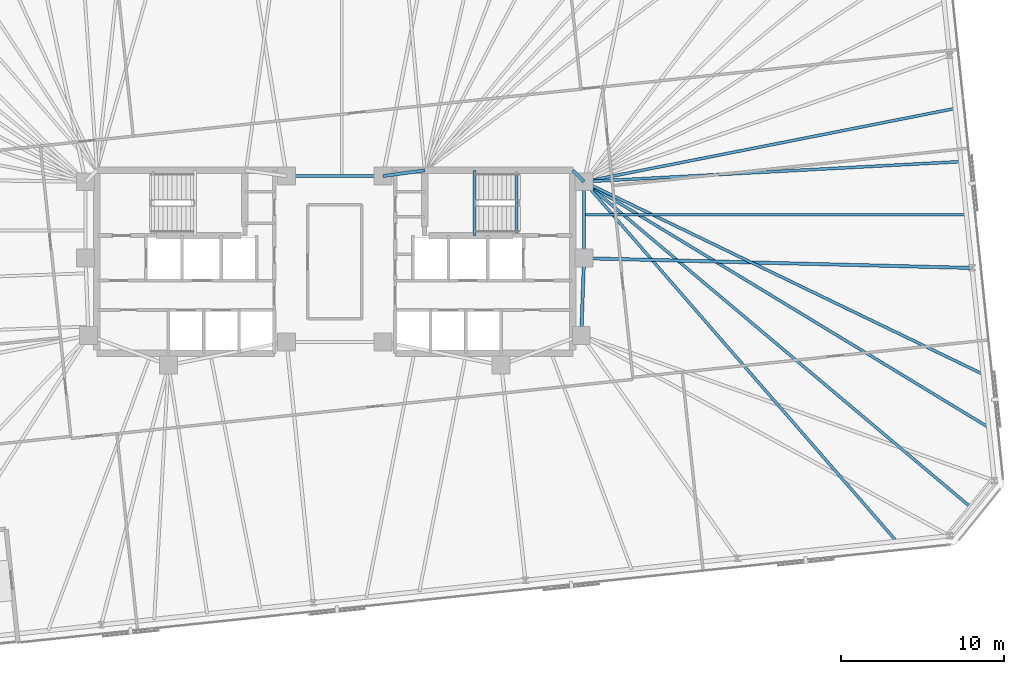
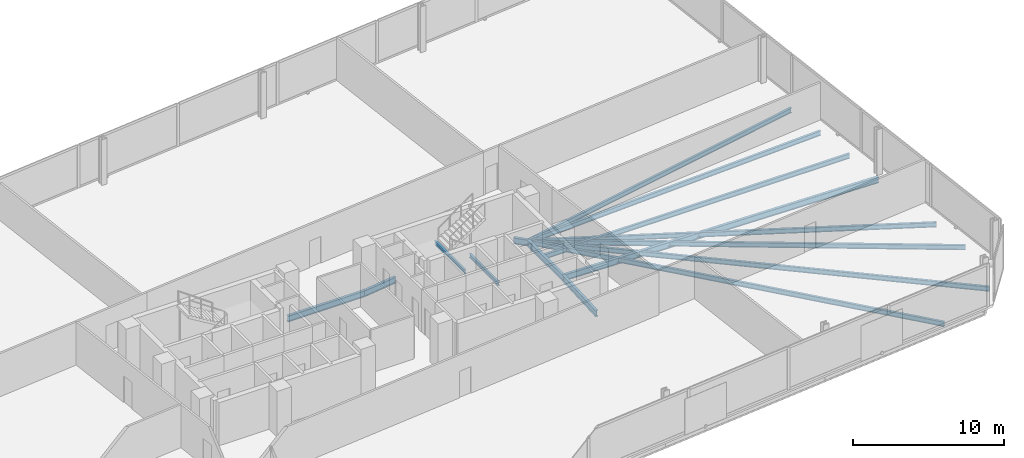
# One storey, part 8 of 18: 15 beams.
"""IFC4 building model written with IfcOpenShell, lengths in metres."""

from ifc_helpers import new_model, si_unit, direction, frame, origin, origin_2d, place, context, subcontext, project, spatial, i_section, extrude, material, material_profile, profile_set, type_object, element, save


model = new_model("IFC4")

# Units and contexts
model_context = context("Model", 3, precision=1e-05, world=origin(), true_north=direction((0.0, 1.0)))
body_context = subcontext(model_context, "Body", "Model", "MODEL_VIEW")
ifc_project = project(units=[si_unit("LENGTHUNIT", "METRE"), si_unit("AREAUNIT", "SQUARE_METRE"), si_unit("VOLUMEUNIT", "CUBIC_METRE"), si_unit("PLANEANGLEUNIT", "RADIAN"), si_unit("MASSUNIT", "GRAM", prefix="KILO")], contexts=[model_context])

# Site, building, storey
site_placement = place(None, origin())
site = spatial("IfcSite", under=ifc_project, at=site_placement, CompositionType="ELEMENT")
building_placement = place(site_placement, origin())
building = spatial("IfcBuilding", under=site, at=building_placement, Name="Menara Jurai Vektor", CompositionType="ELEMENT")
storey_placement = place(building_placement, frame((0.0, 0.0, 113.300048828125)))
storey = spatial("IfcBuildingStorey", under=building, at=storey_placement, Name="L28", CompositionType="ELEMENT", Elevation=113.300048828125)

# Beams
ifc_material = material(Name="Steel S355", Category="steel")
ifc_material_profile_1 = material_profile(ifc_material, i_section(OverallWidth=0.199951171875, OverallDepth=0.5, WebThickness=0.011962890625, FlangeThickness=0.02001953125, at=origin_2d()), Name="PG 500x200x96")
ifc_profile_set_1 = profile_set([ifc_material_profile_1], Name="Steel S355")
beam_type_1 = type_object("IfcBeamType", Name="STR-BM-500", PredefinedType="BEAM", material=ifc_profile_set_1)
beam_1_placement = place(storey_placement, frame((2.949951171875, 5.25, -0.47509765625), z_axis=(0.990706818608, 0.136014703483, 0.0), x_axis=(-0.136014703483, 0.990706818608, 0.0)))
element("IfcBeam", 1, at=beam_1_placement, inside=storey, type_object=beam_type_1, Name="Core Ring Header Girder L28-CHE-N1", PredefinedType="BEAM", context=body_context, shape_type="SweptSolid", body=[
    extrude(i_section(OverallWidth=0.199951171875, OverallDepth=0.5, WebThickness=0.011962890625, FlangeThickness=0.02001953125, at=origin_2d()), origin(), (0.0, 0.0, 1.0), 2.573974609375),
])
beam_2_placement = place(storey_placement, frame((14.56005859375, 5.60009765625, -0.47509765625), z_axis=(0.701871936926, -0.712303154672, 0.0), x_axis=(0.712303154672, 0.701871936926, 0.0)))
element("IfcBeam", 2, at=beam_2_placement, inside=storey, type_object=beam_type_1, Name="Core Ring Header Girder L28-CHE-N2", PredefinedType="BEAM", context=body_context, shape_type="SweptSolid", body=[
    extrude(i_section(OverallWidth=0.199951171875, OverallDepth=0.5, WebThickness=0.011962890625, FlangeThickness=0.02001953125, at=origin_2d()), origin(), (0.0, 0.0, 1.0), 0.98291015625),
])
beam_3_placement = place(storey_placement, frame((15.25, 0.219970703125, -0.47509765625), z_axis=(0.0, 1.0, 0.0), x_axis=(-1.0, 0.0, 0.0)))
element("IfcBeam", 3, at=beam_3_placement, inside=storey, type_object=beam_type_1, Name="Core Ring Header Girder L28-CHE-E1", PredefinedType="BEAM", context=body_context, shape_type="SweptSolid", body=[
    extrude(i_section(OverallWidth=0.199951171875, OverallDepth=0.5, WebThickness=0.011962890625, FlangeThickness=0.02001953125, at=origin_2d()), origin(), (0.0, 0.0, 1.0), 4.679931640625),
])
beam_4_placement = place(storey_placement, frame((15.080078125, -4.5, -0.47509765625), z_axis=(0.035977314146, 0.999352606874, 0.0), x_axis=(-0.999352606874, 0.035977314146, 0.0)))
element("IfcBeam", 4, at=beam_4_placement, inside=storey, type_object=beam_type_1, Name="Core Ring Header Girder L28-CHE-E2", PredefinedType="BEAM", context=body_context, shape_type="SweptSolid", body=[
    extrude(i_section(OverallWidth=0.199951171875, OverallDepth=0.5, WebThickness=0.011962890625, FlangeThickness=0.02001953125, at=origin_2d()), origin(), (0.0, 0.0, 1.0), 4.72314453125),
])
beam_5_placement = place(storey_placement, frame((-2.949951171875, 5.25, -0.47509765625), z_axis=(1.0, 0.0, 0.0), x_axis=(0.0, 1.0, 0.0)))
element("IfcBeam", 5, at=beam_5_placement, inside=storey, type_object=beam_type_1, Name="Core Ring Header Girder L28-CC-2", PredefinedType="BEAM", context=body_context, shape_type="SweptSolid", body=[
    extrude(i_section(OverallWidth=0.199951171875, OverallDepth=0.5, WebThickness=0.011962890625, FlangeThickness=0.02001953125, at=origin_2d()), origin(), (0.0, 0.0, 1.0), 5.89990234375),
])
beam_6_placement = place(storey_placement, frame((38.98828125, -0.375, -0.47509765625), z_axis=(-0.999686051749, 0.02505589629, 0.0), x_axis=(-0.02505589629, -0.999686051749, 0.0)))
element("IfcBeam", 6, at=beam_6_placement, inside=storey, type_object=beam_type_1, Name="Radial Floor Girder L28-E2", PredefinedType="BEAM", context=body_context, shape_type="SweptSolid", body=[
    extrude(i_section(OverallWidth=0.199951171875, OverallDepth=0.5, WebThickness=0.011962890625, FlangeThickness=0.02001953125, at=origin_2d()), origin(), (0.0, 0.0, 1.0), 23.745849609375),
])
ifc_material_profile_2 = material_profile(ifc_material, i_section(OverallWidth=0.175048828125, OverallDepth=0.3798828125, WebThickness=0.010009765625, FlangeThickness=0.014892578125, at=origin_2d()), Name="PG 380x175x58")
ifc_profile_set_2 = profile_set([ifc_material_profile_2], Name="Steel S355")
beam_type_2 = type_object("IfcBeamType", Name="STR-JS-380", PredefinedType="JOIST", material=ifc_profile_set_2)
beam_7_placement = place(storey_placement, frame((34.376953125, -17.106201171875, -0.4150390625), z_axis=(-0.656007047389, 0.754754763996, 0.0), x_axis=(-0.754754763996, -0.656007047389, 0.0)))
element("IfcBeam", 7, at=beam_7_placement, inside=storey, type_object=beam_type_2, Name="Radial Secondary Floor Joist L28-JS08", PredefinedType="JOIST", context=body_context, shape_type="SweptSolid", body=[
    extrude(i_section(OverallWidth=0.175048828125, OverallDepth=0.3798828125, WebThickness=0.010009765625, FlangeThickness=0.014892578125, at=origin_2d()), origin(), (0.0, 0.0, 1.0), 29.15673828125),
])
beam_8_placement = place(storey_placement, frame((38.989013671875, -15.076904296875, -0.4150390625), z_axis=(-0.765132553444, 0.643872794627, 0.0), x_axis=(-0.643872794627, -0.765132553444, 0.0)))
element("IfcBeam", 8, at=beam_8_placement, inside=storey, type_object=beam_type_2, Name="Radial Secondary Floor Joist L28-JS09", PredefinedType="JOIST", context=body_context, shape_type="SweptSolid", body=[
    extrude(i_section(OverallWidth=0.175048828125, OverallDepth=0.3798828125, WebThickness=0.010009765625, FlangeThickness=0.014892578125, at=origin_2d()), origin(), (0.0, 0.0, 1.0), 31.026123046875),
])
beam_9_placement = place(storey_placement, frame((40.01416015625, -10.13525390625, -0.4150390625), z_axis=(-0.854790986557, 0.518972416706, 0.0), x_axis=(-0.518972416706, -0.854790986557, 0.0)))
element("IfcBeam", 9, at=beam_9_placement, inside=storey, type_object=beam_type_2, Name="Radial Secondary Floor Joist L28-JS10", PredefinedType="JOIST", context=body_context, shape_type="SweptSolid", body=[
    extrude(i_section(OverallWidth=0.175048828125, OverallDepth=0.3798828125, WebThickness=0.010009765625, FlangeThickness=0.014892578125, at=origin_2d()), origin(), (0.0, 0.0, 1.0), 28.970947265625),
])
beam_10_placement = place(storey_placement, frame((39.672119140625, -6.8818359375, -0.4150390625), z_axis=(-0.90067072624, 0.434502293312, 0.0), x_axis=(-0.434502293312, -0.90067072624, 0.0)))
element("IfcBeam", 10, at=beam_10_placement, inside=storey, type_object=beam_type_2, Name="Radial Secondary Floor Joist L28-JS11", PredefinedType="JOIST", context=body_context, shape_type="SweptSolid", body=[
    extrude(i_section(OverallWidth=0.175048828125, OverallDepth=0.3798828125, WebThickness=0.010009765625, FlangeThickness=0.014892578125, at=origin_2d()), origin(), (0.0, 0.0, 1.0), 27.115478515625),
])
beam_11_placement = place(storey_placement, frame((38.646484375, 2.87841796875, -0.4150390625), z_axis=(-1.0, 0.0, 0.0), x_axis=(0.0, -1.0, 0.0)))
element("IfcBeam", 11, at=beam_11_placement, inside=storey, type_object=beam_type_2, Name="Radial Secondary Floor Joist L28-JS12", PredefinedType="JOIST", context=body_context, shape_type="SweptSolid", body=[
    extrude(i_section(OverallWidth=0.175048828125, OverallDepth=0.3798828125, WebThickness=0.010009765625, FlangeThickness=0.014892578125, at=origin_2d()), origin(), (0.0, 0.0, 1.0), 23.396484375),
])
beam_12_placement = place(storey_placement, frame((38.304443359375, 6.131591796875, -0.4150390625), z_axis=(-0.998575919005, -0.053349170414, 0.0), x_axis=(0.053349170414, -0.998575919005, 0.0)))
element("IfcBeam", 12, at=beam_12_placement, inside=storey, type_object=beam_type_2, Name="Radial Secondary Floor Joist L28-JS13", PredefinedType="JOIST", context=body_context, shape_type="SweptSolid", body=[
    extrude(i_section(OverallWidth=0.175048828125, OverallDepth=0.3798828125, WebThickness=0.010009765625, FlangeThickness=0.014892578125, at=origin_2d()), origin(), (0.0, 0.0, 1.0), 23.08740234375),
])
beam_13_placement = place(storey_placement, frame((37.96240234375, 9.385009765625, -0.4150390625), z_axis=(-0.981054359007, -0.193732662897, 0.0), x_axis=(0.193732662897, -0.981054359007, 0.0)))
element("IfcBeam", 13, at=beam_13_placement, inside=storey, type_object=beam_type_2, Name="Radial Secondary Floor Joist L28-JS14", PredefinedType="JOIST", context=body_context, shape_type="SweptSolid", body=[
    extrude(i_section(OverallWidth=0.175048828125, OverallDepth=0.3798828125, WebThickness=0.010009765625, FlangeThickness=0.014892578125, at=origin_2d()), origin(), (0.0, 0.0, 1.0), 23.151123046875),
])
ifc_material_profile_3 = material_profile(ifc_material, i_section(OverallWidth=0.1650390625, OverallDepth=0.302978515625, WebThickness=0.006103515625, FlangeThickness=0.010009765625, FilletRadius=0.009033203125, at=origin_2d()), Name="UKB 305x165x40")
ifc_profile_set_3 = profile_set([ifc_material_profile_3], Name="Steel S355")
beam_type_3 = type_object("IfcBeamType", Name="STR-LN-305", PredefinedType="LINTEL", material=ifc_profile_set_3)
beam_14_placement = place(storey_placement, frame((11.1201171875, 1.60009765625, -0.37646484375), z_axis=(0.0, 1.0, 0.0), x_axis=(-1.0, 0.0, 0.0)))
element("IfcBeam", 14, at=beam_14_placement, inside=storey, type_object=beam_type_3, Name="Stair Well Floor Trimmer ST2 L28", PredefinedType="LINTEL", context=body_context, shape_type="SweptSolid", body=[
    extrude(i_section(OverallWidth=0.1650390625, OverallDepth=0.302978515625, WebThickness=0.006103515625, FlangeThickness=0.010009765625, FilletRadius=0.009033203125, at=origin_2d()), origin(), (0.0, 0.0, 1.0), 3.81982421875),
])
beam_15_placement = place(storey_placement, frame((8.550048828125, 1.60009765625, 1.49853515625), z_axis=(0.0, 1.0, 0.0), x_axis=(-1.0, 0.0, 0.0)))
element("IfcBeam", 15, at=beam_15_placement, inside=storey, type_object=beam_type_3, Name="Stair Half-Landing Nosing Trimmer ST2-1 L28", PredefinedType="LINTEL", context=body_context, shape_type="SweptSolid", body=[
    extrude(i_section(OverallWidth=0.1650390625, OverallDepth=0.302978515625, WebThickness=0.006103515625, FlangeThickness=0.010009765625, FilletRadius=0.009033203125, at=origin_2d()), origin(), (0.0, 0.0, 1.0), 4.0),
])

save(model, "model.ifc")
